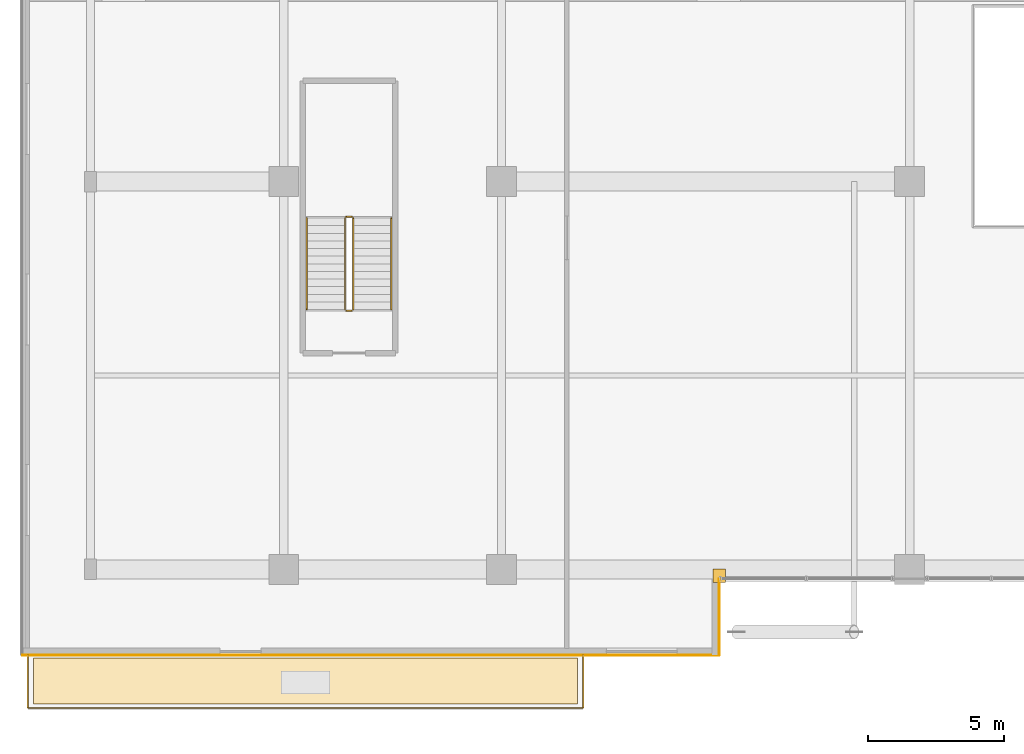
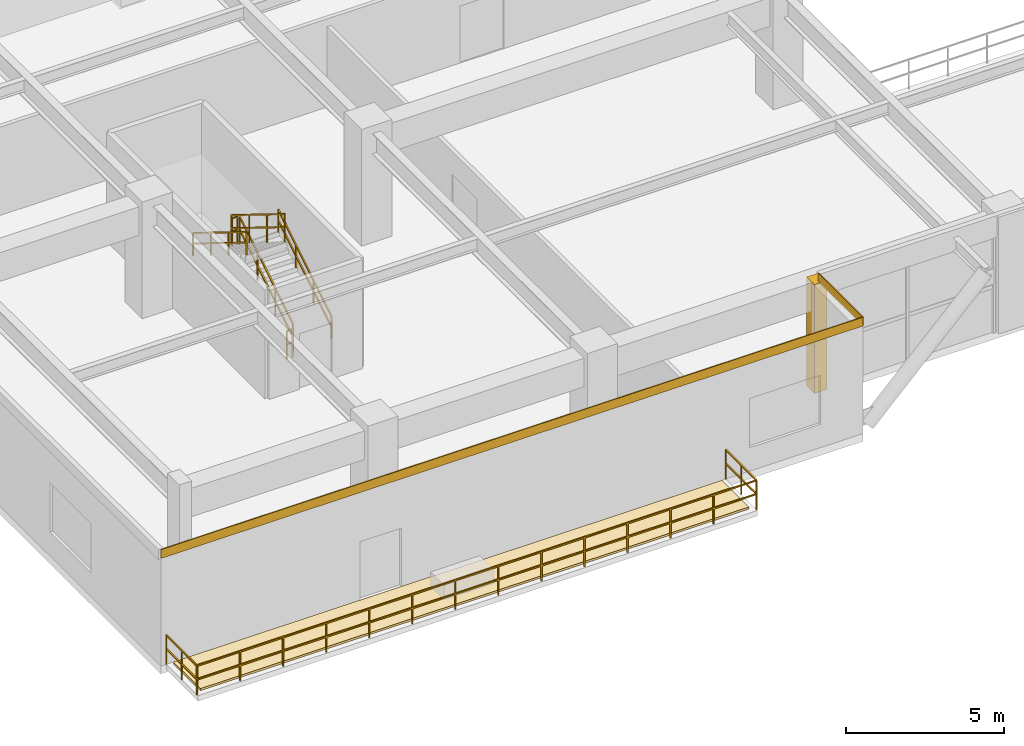
# One storey, part 19 of 24: 9 railings, 4 coverings.
"""IFC4 building model written with IfcOpenShell, lengths in metres."""

from ifc_helpers import new_model, si_unit, direction, frame, origin, origin_2d, place, context, subcontext, project, spatial, polyline, rectangle, outline, extrude, source, transform, mapped, material, layer, layer_set, type_object, element, save


model = new_model("IFC4")

# Units and contexts
model_context = context("Model", 3, precision=1e-05, world=origin(), true_north=direction((0.0, 1.0)))
body_context = subcontext(model_context, "Body", "Model", "MODEL_VIEW")
ifc_project = project(units=[si_unit("LENGTHUNIT", "METRE"), si_unit("AREAUNIT", "SQUARE_METRE"), si_unit("VOLUMEUNIT", "CUBIC_METRE"), si_unit("PLANEANGLEUNIT", "RADIAN"), si_unit("MASSUNIT", "GRAM", prefix="KILO")], contexts=[model_context])

# Site, building, storey
site_placement = place(None, origin())
site = spatial("IfcSite", under=ifc_project, at=site_placement, CompositionType="ELEMENT")
building_placement = place(site_placement, origin())
building = spatial("IfcBuilding", under=site, at=building_placement, Name="Trelvane Seafront Commons", CompositionType="ELEMENT")
storey_placement = place(building_placement, frame((0.0, 0.0, 9.699951171875)))
storey = spatial("IfcBuildingStorey", under=building, at=storey_placement, Name="L02", CompositionType="ELEMENT", Elevation=9.699951171875)

# Covering
ifc_material_1 = material(Name="Polymer-Modified Bitumen Membrane")
ifc_layer_1 = layer(ifc_material_1, 0.080078125, Name="ARCH-COV-ROOF80")
ifc_layer_set_1 = layer_set([ifc_layer_1], Name="Polymer-Modified Bitumen Membrane")
covering_type_1 = type_object("IfcCoveringType", Name="ARCH-COV-ROOF80", PredefinedType="ROOFING", material=ifc_layer_set_1)
covering_1_placement = place(storey_placement, origin())
element("IfcCovering", 1, at=covering_1_placement, inside=storey, type_object=covering_type_1, Name="COV-ROOF-L02-01", PredefinedType="ROOFING", context=body_context, shape_type="SweptSolid", body=[
    extrude(outline(polyline([(-1.60009765625, -1.0), (18.39990234375, -1.0), (18.39990234375, 0.699951171875), (-1.60009765625, 0.699951171875), (-1.60009765625, -1.0)])), origin(), (0.0, 0.0, 1.0), 0.080078125),
])

# Railings
ifc_material_2 = material(Name="Stainless steel balustrade", Category="steel")
railing_type_1 = type_object("IfcRailingType", Name="ARCH-RAIL-BAL1150", PredefinedType="BALUSTRADE", material=ifc_material_2)
railing_1_placement = place(storey_placement, frame((-1.800048828125, 0.800048828125, 0.0)))
element("IfcRailing", 2, at=railing_1_placement, inside=storey, type_object=railing_type_1, Name="RL-L02-TR0-01", PredefinedType="BALUSTRADE", context=body_context, shape_type="SweptSolid", body=[
    extrude(rectangle(XDim=0.048095703125, YDim=0.048095703125, at=origin_2d()), frame((0.0, 0.0, 1.1259765625), z_axis=(0.0, -1.0, 0.0), x_axis=(1.0, 0.0, 0.0)), (0.0, 0.0, 1.0), 1.93994140625),
    extrude(rectangle(XDim=0.048095703125, YDim=0.048095703125, at=origin_2d()), frame((0.0, 0.0, 0.597900390625), z_axis=(0.0, -1.0, 0.0), x_axis=(1.0, 0.0, 0.0)), (0.0, 0.0, 1.0), 1.93994140625),
    extrude(rectangle(XDim=0.0419921875, YDim=0.0419921875, at=origin_2d()), origin(), (0.0, 0.0, 1.0), 1.1259765625),
    extrude(rectangle(XDim=0.0419921875, YDim=0.0419921875, at=origin_2d()), frame((0.0, -0.969970703125, 0.0)), (0.0, 0.0, 1.0), 1.1259765625),
    extrude(rectangle(XDim=0.0419921875, YDim=0.0419921875, at=origin_2d()), frame((0.0, -1.93994140625, 0.0)), (0.0, 0.0, 1.0), 1.1259765625),
])
railing_2_placement = place(storey_placement, frame((-1.800048828125, -1.139892578125, 0.0)))
element("IfcRailing", 3, at=railing_2_placement, inside=storey, type_object=railing_type_1, Name="RL-L02-TR0-02", PredefinedType="BALUSTRADE", context=body_context, shape_type="SweptSolid", body=[
    extrude(rectangle(XDim=0.048095703125, YDim=0.048095703125, at=origin_2d()), frame((0.0, 0.0, 1.1259765625), z_axis=(1.0, 0.0, 0.0), x_axis=(0.0, 1.0, 0.0)), (0.0, 0.0, 1.0), 20.400146484375),
    extrude(rectangle(XDim=0.048095703125, YDim=0.048095703125, at=origin_2d()), frame((0.0, 0.0, 0.597900390625), z_axis=(1.0, 0.0, 0.0), x_axis=(0.0, 1.0, 0.0)), (0.0, 0.0, 1.0), 20.400146484375),
    extrude(rectangle(XDim=0.0419921875, YDim=0.0419921875, at=origin_2d()), origin(), (0.0, 0.0, 1.0), 1.1259765625),
    extrude(rectangle(XDim=0.0419921875, YDim=0.0419921875, at=origin_2d()), frame((1.5693359375, 0.0, 0.0)), (0.0, 0.0, 1.0), 1.1259765625),
    extrude(rectangle(XDim=0.0419921875, YDim=0.0419921875, at=origin_2d()), frame((3.138427734375, 0.0, 0.0)), (0.0, 0.0, 1.0), 1.1259765625),
    extrude(rectangle(XDim=0.0419921875, YDim=0.0419921875, at=origin_2d()), frame((4.707763671875, 0.0, 0.0)), (0.0, 0.0, 1.0), 1.1259765625),
    extrude(rectangle(XDim=0.0419921875, YDim=0.0419921875, at=origin_2d()), frame((6.27685546875, 0.0, 0.0)), (0.0, 0.0, 1.0), 1.1259765625),
    extrude(rectangle(XDim=0.0419921875, YDim=0.0419921875, at=origin_2d()), frame((7.84619140625, 0.0, 0.0)), (0.0, 0.0, 1.0), 1.1259765625),
    extrude(rectangle(XDim=0.0419921875, YDim=0.0419921875, at=origin_2d()), frame((9.41552734375, 0.0, 0.0)), (0.0, 0.0, 1.0), 1.1259765625),
    extrude(rectangle(XDim=0.0419921875, YDim=0.0419921875, at=origin_2d()), frame((10.984619140625, 0.0, 0.0)), (0.0, 0.0, 1.0), 1.1259765625),
    extrude(rectangle(XDim=0.0419921875, YDim=0.0419921875, at=origin_2d()), frame((12.553955078125, 0.0, 0.0)), (0.0, 0.0, 1.0), 1.1259765625),
    extrude(rectangle(XDim=0.0419921875, YDim=0.0419921875, at=origin_2d()), frame((14.123291015625, 0.0, 0.0)), (0.0, 0.0, 1.0), 1.1259765625),
    extrude(rectangle(XDim=0.0419921875, YDim=0.0419921875, at=origin_2d()), frame((15.6923828125, 0.0, 0.0)), (0.0, 0.0, 1.0), 1.1259765625),
    extrude(rectangle(XDim=0.0419921875, YDim=0.0419921875, at=origin_2d()), frame((17.26171875, 0.0, 0.0)), (0.0, 0.0, 1.0), 1.1259765625),
    extrude(rectangle(XDim=0.0419921875, YDim=0.0419921875, at=origin_2d()), frame((18.830810546875, 0.0, 0.0)), (0.0, 0.0, 1.0), 1.1259765625),
    extrude(rectangle(XDim=0.0419921875, YDim=0.0419921875, at=origin_2d()), frame((20.400146484375, 0.0, 0.0)), (0.0, 0.0, 1.0), 1.1259765625),
])
railing_3_placement = place(storey_placement, frame((18.60009765625, -1.139892578125, 0.0)))
element("IfcRailing", 4, at=railing_3_placement, inside=storey, type_object=railing_type_1, Name="RL-L02-TR0-03", PredefinedType="BALUSTRADE", context=body_context, shape_type="SweptSolid", body=[
    extrude(rectangle(XDim=0.048095703125, YDim=0.048095703125, at=origin_2d()), frame((0.0, 0.0, 1.1259765625), z_axis=(0.0, 1.0, 0.0), x_axis=(-1.0, 0.0, 0.0)), (0.0, 0.0, 1.0), 1.93994140625),
    extrude(rectangle(XDim=0.048095703125, YDim=0.048095703125, at=origin_2d()), frame((0.0, 0.0, 0.597900390625), z_axis=(0.0, 1.0, 0.0), x_axis=(-1.0, 0.0, 0.0)), (0.0, 0.0, 1.0), 1.93994140625),
    extrude(rectangle(XDim=0.0419921875, YDim=0.0419921875, at=origin_2d()), origin(), (0.0, 0.0, 1.0), 1.1259765625),
    extrude(rectangle(XDim=0.0419921875, YDim=0.0419921875, at=origin_2d()), frame((0.0, 0.969970703125, 0.0)), (0.0, 0.0, 1.0), 1.1259765625),
    extrude(rectangle(XDim=0.0419921875, YDim=0.0419921875, at=origin_2d()), frame((0.0, 1.93994140625, 0.0)), (0.0, 0.0, 1.0), 1.1259765625),
])
railing_type_2 = type_object("IfcRailingType", Name="ARCH-SRL-GUARD", PredefinedType="GUARDRAIL", material=ifc_material_2)
railing_4_placement = place(storey_placement, frame((10.14990234375, 13.5, 0.173095703125)))
element("IfcRailing", 5, at=railing_4_placement, inside=storey, type_object=railing_type_2, Name="L02 ST-3 stair guard 1", PredefinedType="GUARDRAIL", context=body_context, shape_type="SweptSolid", body=[
    extrude(rectangle(XDim=0.048095703125, YDim=0.048095703125, at=origin_2d()), frame((0.0, 0.0, 1.076171875), z_axis=(0.0, 0.850623216509, 0.525775754039), x_axis=(-1.0, 0.0, 0.0)), (0.0, 0.0, 1.0), 3.9501953125),
    extrude(rectangle(XDim=0.048095703125, YDim=0.048095703125, at=origin_2d()), frame((0.0, 0.0, 0.572021484375), z_axis=(0.0, 0.850623216509, 0.525775754039), x_axis=(-1.0, 0.0, 0.0)), (0.0, 0.0, 1.0), 3.9501953125),
    extrude(rectangle(XDim=0.0419921875, YDim=0.0419921875, at=origin_2d()), origin(), (0.0, 0.0, 1.0), 1.076171875),
    extrude(rectangle(XDim=0.0419921875, YDim=0.0419921875, at=origin_2d()), frame((0.0, 1.1201171875, 0.6923828125)), (0.0, 0.0, 1.0), 1.076171875),
    extrude(rectangle(XDim=0.0419921875, YDim=0.0419921875, at=origin_2d()), frame((0.0, 2.239990234375, 1.384521484375)), (0.0, 0.0, 1.0), 1.076171875),
    extrude(rectangle(XDim=0.0419921875, YDim=0.0419921875, at=origin_2d()), frame((0.0, 3.360107421875, 2.076904296875)), (0.0, 0.0, 1.0), 1.076171875),
])
railing_5_placement = place(storey_placement, frame((10.10009765625, 16.909912109375, 2.25)))
element("IfcRailing", 6, at=railing_5_placement, inside=storey, type_object=railing_type_2, Name="L02 ST-3 stair guard 2", PredefinedType="GUARDRAIL", context=body_context, shape_type="SweptSolid", body=[
    extrude(rectangle(XDim=0.048095703125, YDim=0.048095703125, at=origin_2d()), frame((0.0, 0.0, 1.076171875), z_axis=(-1.0, 0.0, 0.0), x_axis=(0.0, -1.0, 0.0)), (0.0, 0.0, 1.0), 0.2001953125),
    extrude(rectangle(XDim=0.048095703125, YDim=0.048095703125, at=origin_2d()), frame((0.0, 0.0, 0.572021484375), z_axis=(-1.0, 0.0, 0.0), x_axis=(0.0, -1.0, 0.0)), (0.0, 0.0, 1.0), 0.2001953125),
    extrude(rectangle(XDim=0.0419921875, YDim=0.0419921875, at=origin_2d()), origin(), (0.0, 0.0, 1.0), 1.076171875),
    extrude(rectangle(XDim=0.0419921875, YDim=0.0419921875, at=origin_2d()), frame((-0.2001953125, 0.0, 0.0)), (0.0, 0.0, 1.0), 1.076171875),
])
railing_6_placement = place(storey_placement, frame((9.85009765625, 16.860107421875, 2.423095703125)))
element("IfcRailing", 7, at=railing_6_placement, inside=storey, type_object=railing_type_2, Name="L02 ST-3 stair guard 3", PredefinedType="GUARDRAIL", context=body_context, shape_type="SweptSolid", body=[
    extrude(rectangle(XDim=0.048095703125, YDim=0.048095703125, at=origin_2d()), frame((0.0, 0.0, 1.076171875), z_axis=(0.0, -0.850623216509, 0.525775754039), x_axis=(1.0, 0.0, 0.0)), (0.0, 0.0, 1.0), 3.9501953125),
    extrude(rectangle(XDim=0.048095703125, YDim=0.048095703125, at=origin_2d()), frame((0.0, 0.0, 0.572021484375), z_axis=(0.0, -0.850623216509, 0.525775754039), x_axis=(1.0, 0.0, 0.0)), (0.0, 0.0, 1.0), 3.9501953125),
    extrude(rectangle(XDim=0.0419921875, YDim=0.0419921875, at=origin_2d()), origin(), (0.0, 0.0, 1.0), 1.076171875),
    extrude(rectangle(XDim=0.0419921875, YDim=0.0419921875, at=origin_2d()), frame((0.0, -1.1201171875, 0.6923828125)), (0.0, 0.0, 1.0), 1.076171875),
    extrude(rectangle(XDim=0.0419921875, YDim=0.0419921875, at=origin_2d()), frame((0.0, -2.239990234375, 1.384521484375)), (0.0, 0.0, 1.0), 1.076171875),
    extrude(rectangle(XDim=0.0419921875, YDim=0.0419921875, at=origin_2d()), frame((0.0, -3.360107421875, 2.076904296875)), (0.0, 0.0, 1.0), 1.076171875),
])
railing_7_placement = place(storey_placement, frame((10.10009765625, 13.449951171875, 0.0)))
element("IfcRailing", 8, at=railing_7_placement, inside=storey, type_object=railing_type_2, Name="L02 ST-3 stair guard 4", PredefinedType="GUARDRAIL", context=body_context, shape_type="SweptSolid", body=[
    extrude(rectangle(XDim=0.048095703125, YDim=0.048095703125, at=origin_2d()), frame((0.0, 0.0, 1.076171875), z_axis=(-1.0, 0.0, 0.0), x_axis=(0.0, -1.0, 0.0)), (0.0, 0.0, 1.0), 0.2001953125),
    extrude(rectangle(XDim=0.048095703125, YDim=0.048095703125, at=origin_2d()), frame((0.0, 0.0, 0.572021484375), z_axis=(-1.0, 0.0, 0.0), x_axis=(0.0, -1.0, 0.0)), (0.0, 0.0, 1.0), 0.2001953125),
    extrude(rectangle(XDim=0.0419921875, YDim=0.0419921875, at=origin_2d()), origin(), (0.0, 0.0, 1.0), 1.076171875),
    extrude(rectangle(XDim=0.0419921875, YDim=0.0419921875, at=origin_2d()), frame((-0.2001953125, 0.0, 0.0)), (0.0, 0.0, 1.0), 1.076171875),
])
railing_type_3 = type_object("IfcRailingType", Name="ARCH-SRL-HAND", PredefinedType="HANDRAIL", material=ifc_material_2)
railing_8_placement = place(storey_placement, frame((11.550048828125, 13.5, 0.173095703125)))
element("IfcRailing", 9, at=railing_8_placement, inside=storey, type_object=railing_type_3, Name="L02 ST-3 stair handrail 1", PredefinedType="HANDRAIL", context=body_context, shape_type="SweptSolid", body=[
    extrude(rectangle(XDim=0.048095703125, YDim=0.048095703125, at=origin_2d()), frame((0.0, 0.0, 0.8759765625), z_axis=(0.0, 0.850623216509, 0.525775754039), x_axis=(-1.0, 0.0, 0.0)), (0.0, 0.0, 1.0), 3.9501953125),
    extrude(rectangle(XDim=0.048095703125, YDim=0.048095703125, at=origin_2d()), frame((0.0, 0.0, 0.468017578125), z_axis=(0.0, 0.850623216509, 0.525775754039), x_axis=(-1.0, 0.0, 0.0)), (0.0, 0.0, 1.0), 3.9501953125),
    extrude(rectangle(XDim=0.0419921875, YDim=0.0419921875, at=origin_2d()), origin(), (0.0, 0.0, 1.0), 0.8759765625),
    extrude(rectangle(XDim=0.0419921875, YDim=0.0419921875, at=origin_2d()), frame((0.0, 1.1201171875, 0.6923828125)), (0.0, 0.0, 1.0), 0.8759765625),
    extrude(rectangle(XDim=0.0419921875, YDim=0.0419921875, at=origin_2d()), frame((0.0, 2.239990234375, 1.384521484375)), (0.0, 0.0, 1.0), 0.8759765625),
    extrude(rectangle(XDim=0.0419921875, YDim=0.0419921875, at=origin_2d()), frame((0.0, 3.360107421875, 2.076904296875)), (0.0, 0.0, 1.0), 0.8759765625),
])
railing_9_placement = place(storey_placement, frame((8.449951171875, 16.860107421875, 2.423095703125)))
element("IfcRailing", 10, at=railing_9_placement, inside=storey, type_object=railing_type_3, Name="L02 ST-3 stair handrail 2", PredefinedType="HANDRAIL", context=body_context, shape_type="SweptSolid", body=[
    extrude(rectangle(XDim=0.048095703125, YDim=0.048095703125, at=origin_2d()), frame((0.0, 0.0, 0.8759765625), z_axis=(0.0, -0.850623216509, 0.525775754039), x_axis=(1.0, 0.0, 0.0)), (0.0, 0.0, 1.0), 3.9501953125),
    extrude(rectangle(XDim=0.048095703125, YDim=0.048095703125, at=origin_2d()), frame((0.0, 0.0, 0.468017578125), z_axis=(0.0, -0.850623216509, 0.525775754039), x_axis=(1.0, 0.0, 0.0)), (0.0, 0.0, 1.0), 3.9501953125),
    extrude(rectangle(XDim=0.0419921875, YDim=0.0419921875, at=origin_2d()), origin(), (0.0, 0.0, 1.0), 0.8759765625),
    extrude(rectangle(XDim=0.0419921875, YDim=0.0419921875, at=origin_2d()), frame((0.0, -1.1201171875, 0.6923828125)), (0.0, 0.0, 1.0), 0.8759765625),
    extrude(rectangle(XDim=0.0419921875, YDim=0.0419921875, at=origin_2d()), frame((0.0, -2.239990234375, 1.384521484375)), (0.0, 0.0, 1.0), 0.8759765625),
    extrude(rectangle(XDim=0.0419921875, YDim=0.0419921875, at=origin_2d()), frame((0.0, -3.360107421875, 2.076904296875)), (0.0, 0.0, 1.0), 0.8759765625),
])

# Coverings
ifc_material_3 = material(Name="Anodised pale-silver aluminium", Category="aluminium")
ifc_layer_2 = layer(ifc_material_3, 0.034912109375, Name="ARCH-COV-CLAD35")
ifc_layer_set_2 = layer_set([ifc_layer_2], Name="Anodised pale-silver aluminium")
covering_type_2 = type_object("IfcCoveringType", Name="ARCH-COV-CLAD35", PredefinedType="CLADDING", material=ifc_layer_set_2)
shared_shape_1 = source(origin(), body_context, "Body", "SweptSolid", [
    extrude(rectangle(XDim=0.449951171875, YDim=0.5, at=origin_2d()), origin(), (0.0, 0.0, 1.0), 4.199951171875),
])
covering_2_placement = place(storey_placement, frame((23.60009765625, 3.719970703125, 0.0), z_axis=(0.0, 0.0, 1.0), x_axis=(1.0, 0.0, 0.0)))
element("IfcCovering", 11, at=covering_2_placement, inside=storey, type_object=covering_type_2, Name="CLD-VPC-L02-00019", PredefinedType="CLADDING", context=body_context, shape_type="MappedRepresentation", body=[
    mapped(shared_shape_1, transform((0.0, 0.0, 0.0), x_axis=(1.0, 0.0, 0.0), y_axis=(0.0, 1.0, 0.0), z_axis=(0.0, 0.0, 1.0), scale=1.0)),
])
shared_shape_2 = source(origin(), body_context, "Body", "SweptSolid", [
    extrude(rectangle(XDim=25.60009765625, YDim=0.034912109375, at=origin_2d()), origin(), (0.0, 0.0, 1.0), 0.340087890625),
])
covering_3_placement = place(storey_placement, frame((10.800048828125, 0.800048828125, 4.16015625), z_axis=(0.0, 0.0, 1.0), x_axis=(-1.0, 0.0, 0.0)))
element("IfcCovering", 12, at=covering_3_placement, inside=storey, type_object=covering_type_2, Name="CLD-L02-00021", PredefinedType="CLADDING", context=body_context, shape_type="MappedRepresentation", body=[
    mapped(shared_shape_2, transform((0.0, 0.0, 0.0), x_axis=(1.0, 0.0, 0.0), y_axis=(0.0, 1.0, 0.0), z_axis=(0.0, 0.0, 1.0), scale=1.0)),
])
shared_shape_3 = source(origin(), body_context, "Body", "SweptSolid", [
    extrude(rectangle(XDim=2.800048828125, YDim=0.034912109375, at=origin_2d()), origin(), (0.0, 0.0, 1.0), 0.340087890625),
])
covering_4_placement = place(storey_placement, frame((23.60009765625, 2.199951171875, 4.16015625), z_axis=(0.0, 0.0, 1.0), x_axis=(0.0, -1.0, 0.0)))
element("IfcCovering", 13, at=covering_4_placement, inside=storey, type_object=covering_type_2, Name="CLD-L02-00020", PredefinedType="CLADDING", context=body_context, shape_type="MappedRepresentation", body=[
    mapped(shared_shape_3, transform((0.0, 0.0, 0.0), x_axis=(1.0, 0.0, 0.0), y_axis=(0.0, 1.0, 0.0), z_axis=(0.0, 0.0, 1.0), scale=1.0)),
])

save(model, "model.ifc")
